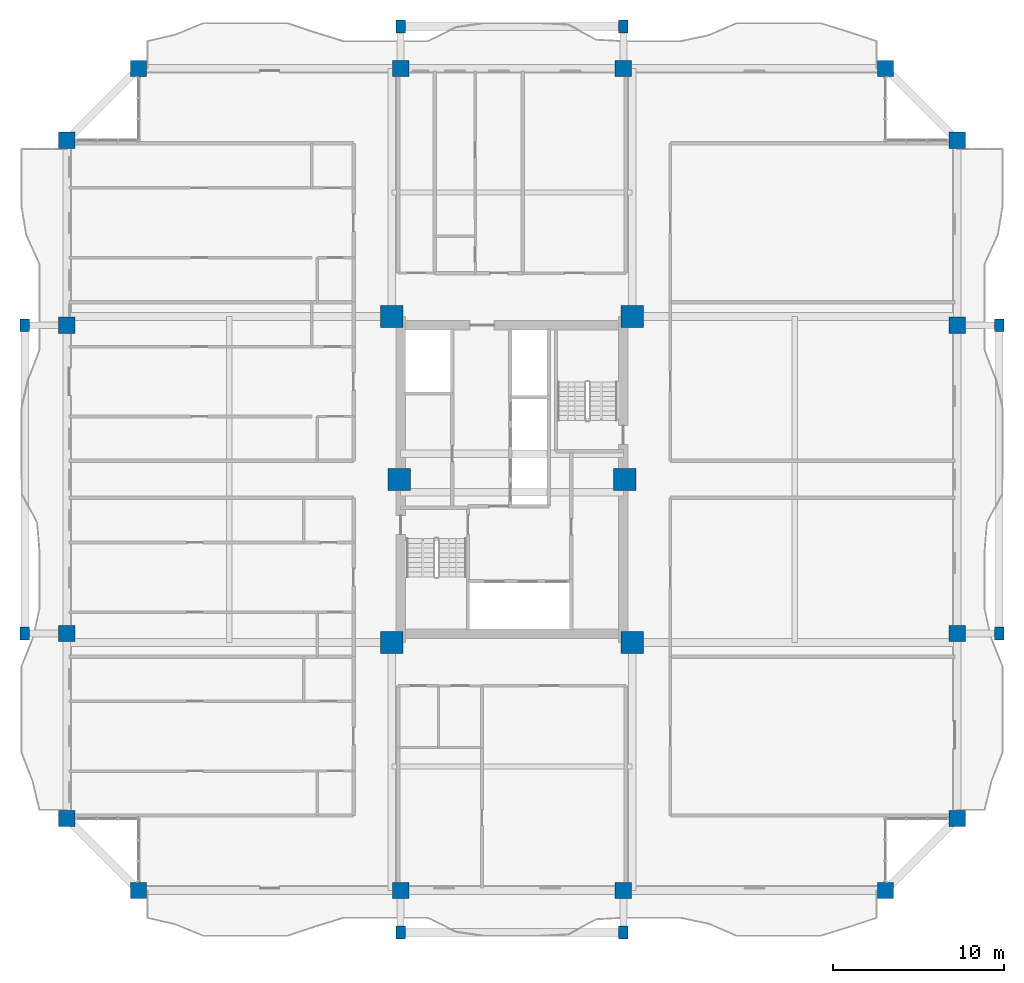
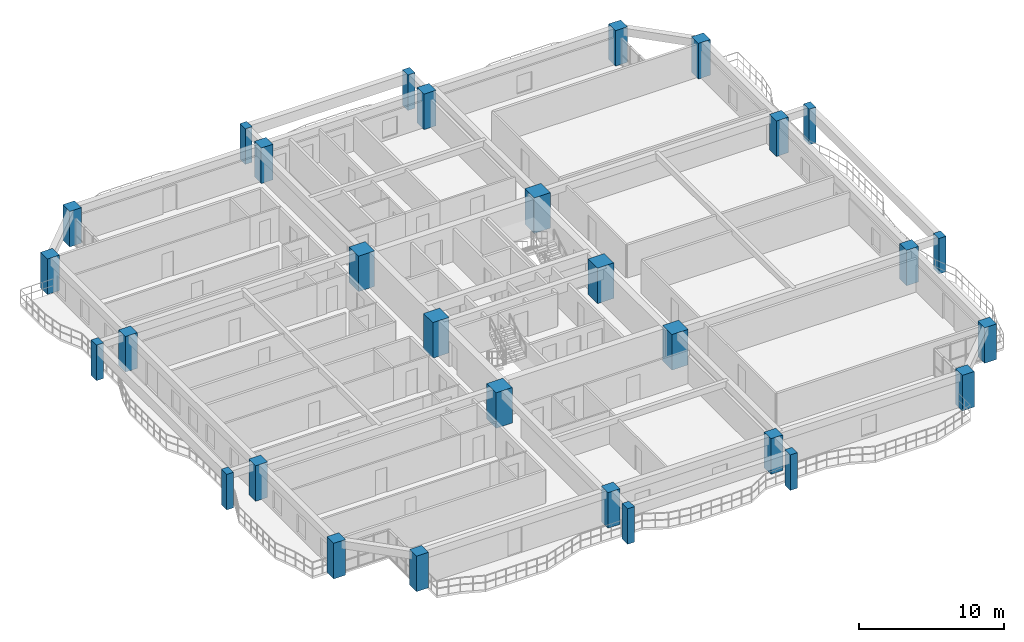
# One storey, part 1 of 22: 30 columns.
"""IFC4 building model written with IfcOpenShell, lengths in metres."""

from ifc_helpers import new_model, si_unit, direction, frame, origin, origin_2d, place, context, subcontext, project, spatial, rectangle, extrude, source, transform, mapped, material, material_profile, profile_set, type_object, element, save


model = new_model("IFC4")

# Units and contexts
model_context = context("Model", 3, precision=1e-05, world=origin(), true_north=direction((0.0, 1.0)))
body_context = subcontext(model_context, "Body", "Model", "MODEL_VIEW")
ifc_project = project(units=[si_unit("LENGTHUNIT", "METRE"), si_unit("AREAUNIT", "SQUARE_METRE"), si_unit("VOLUMEUNIT", "CUBIC_METRE"), si_unit("PLANEANGLEUNIT", "RADIAN"), si_unit("MASSUNIT", "GRAM", prefix="KILO")], contexts=[model_context])

# Site, building, storey
site_placement = place(None, origin())
site = spatial("IfcSite", under=ifc_project, at=site_placement, CompositionType="ELEMENT")
building_placement = place(site_placement, origin())
building = spatial("IfcBuilding", under=site, at=building_placement, Name="Saelheon Loggia Tower", CompositionType="ELEMENT")
storey_placement = place(building_placement, frame((0.0, 0.0, 135.75)))
storey = spatial("IfcBuildingStorey", under=building, at=storey_placement, Name="L43", CompositionType="ELEMENT", Elevation=135.75)

# Columns
ifc_material_1 = material(Name="Precast Concrete C45/55", Category="concrete")
ifc_material_profile_1 = material_profile(ifc_material_1, rectangle(XDim=0.550048828125, YDim=0.75, at=origin_2d()), Name="RC-550x750")
ifc_profile_set_1 = profile_set([ifc_material_profile_1], Name="Precast Concrete C45/55")
column_type_1 = type_object("IfcColumnType", Name="Col_Loggia_Pilaster_750", PredefinedType="PILASTER", material=ifc_profile_set_1)
shared_shape_1 = source(origin(), body_context, "Body", "SweptSolid", [
    extrude(rectangle(XDim=0.550048828125, YDim=0.75, at=origin_2d()), origin(), (0.0, 0.0, 1.0), 3.0),
])
for number, where, z_axis, x_axis, name in (
    (1, (31.5, 0.550048828125, 0.0), (0.0, 0.0, 1.0), (1.0, 0.0, 0.0), "L43 Loggia Frame Pilaster LP-S1"),
    (2, (44.5, 0.550048828125, 0.0), (0.0, 0.0, 1.0), (1.0, 0.0, 0.0), "L43 Loggia Frame Pilaster LP-S2"),
    (3, (31.5, 53.449951171875, 0.0), (0.0, 0.0, 1.0), (1.0, 0.0, 0.0), "L43 Loggia Frame Pilaster LP-N1"),
    (4, (44.5, 53.449951171875, 0.0), (0.0, 0.0, 1.0), (1.0, 0.0, 0.0), "L43 Loggia Frame Pilaster LP-N2"),
    (5, (66.449951171875, 18.0, 0.0), (0.0, 0.0, 1.0), (1.0, 0.0, 0.0), "L43 Loggia Frame Pilaster LP-E1"),
    (6, (66.449951171875, 36.0, 0.0), (0.0, 0.0, 1.0), (1.0, 0.0, 0.0), "L43 Loggia Frame Pilaster LP-E2"),
    (7, (9.550048828125, 18.0, 0.0), (0.0, 0.0, 1.0), (1.0, 0.0, 0.0), "L43 Loggia Frame Pilaster LP-W1"),
    (8, (9.550048828125, 36.0, 0.0), (0.0, 0.0, 1.0), (1.0, 0.0, 0.0), "L43 Loggia Frame Pilaster LP-W2"),
):
    element("IfcColumn", number, at=place(storey_placement, frame(where, z_axis=z_axis, x_axis=x_axis)), inside=storey, type_object=column_type_1, Name=name, PredefinedType="PILASTER", context=body_context, shape_type="MappedRepresentation", body=[
        mapped(shared_shape_1, transform((0.0, 0.0, 0.0), scale=1.0)),
    ])
ifc_material_2 = material(Name="Concrete C60/75", Category="concrete")
ifc_material_profile_2 = material_profile(ifc_material_2, rectangle(XDim=1.300048828125, YDim=1.300048828125, at=origin_2d()), Name="RC-1300x1300")
ifc_profile_set_2 = profile_set([ifc_material_profile_2], Name="Concrete C60/75")
column_type_2 = type_object("IfcColumnType", Name="Col_Core_RC1300", PredefinedType="COLUMN", material=ifc_profile_set_2)
shared_shape_2 = source(origin(), body_context, "Body", "SweptSolid", [
    extrude(rectangle(XDim=1.300048828125, YDim=1.300048828125, at=origin_2d()), origin(), (0.0, 0.0, 1.0), 3.0),
])
for number, where, z_axis, x_axis, name in (
    (9, (30.97998046875, 17.47998046875, 0.0), (0.0, 0.0, 1.0), (1.0, 0.0, 0.0), "L43 Core Column CR-SW"),
    (10, (45.02001953125, 17.47998046875, 0.0), (0.0, 0.0, 1.0), (1.0, 0.0, 0.0), "L43 Core Column CR-SE"),
    (11, (30.97998046875, 36.52001953125, 0.0), (0.0, 0.0, 1.0), (1.0, 0.0, 0.0), "L43 Core Column CR-NW"),
    (12, (45.02001953125, 36.52001953125, 0.0), (0.0, 0.0, 1.0), (1.0, 0.0, 0.0), "L43 Core Column CR-NE"),
    (13, (31.419921875, 27.0, 0.0), (0.0, 0.0, 1.0), (1.0, 0.0, 0.0), "L43 Core Column CR-MW"),
    (14, (44.580078125, 27.0, 0.0), (0.0, 0.0, 1.0), (1.0, 0.0, 0.0), "L43 Core Column CR-ME"),
):
    element("IfcColumn", number, at=place(storey_placement, frame(where, z_axis=z_axis, x_axis=x_axis)), inside=storey, type_object=column_type_2, Name=name, PredefinedType="COLUMN", context=body_context, shape_type="MappedRepresentation", body=[
        mapped(shared_shape_2, transform((0.0, 0.0, 0.0), scale=1.0)),
    ])
ifc_material_3 = material(Name="Concrete C50/60", Category="concrete")
ifc_material_profile_3 = material_profile(ifc_material_3, rectangle(XDim=0.949951171875, YDim=0.949951171875, at=origin_2d()), Name="RC-950x950")
ifc_profile_set_3 = profile_set([ifc_material_profile_3], Name="Concrete C50/60")
column_type_3 = type_object("IfcColumnType", Name="Col_Perim_RC950", PredefinedType="COLUMN", material=ifc_profile_set_3)
shared_shape_3 = source(origin(), body_context, "Body", "SweptSolid", [
    extrude(rectangle(XDim=0.949951171875, YDim=0.949951171875, at=origin_2d()), origin(), (0.0, 0.0, 1.0), 3.0),
])
for number, where, z_axis, x_axis, name in (
    (15, (16.199951171875, 3.0, 0.0), (0.0, 0.0, 1.0), (1.0, 0.0, 0.0), "L43 Perimeter Column TP-S1"),
    (16, (31.5, 3.0, 0.0), (0.0, 0.0, 1.0), (1.0, 0.0, 0.0), "L43 Perimeter Column TP-SA"),
    (17, (44.5, 3.0, 0.0), (0.0, 0.0, 1.0), (1.0, 0.0, 0.0), "L43 Perimeter Column TP-SB"),
    (18, (59.800048828125, 3.0, 0.0), (0.0, 0.0, 1.0), (1.0, 0.0, 0.0), "L43 Perimeter Column TP-S2"),
    (19, (64.0, 7.199951171875, 0.0), (0.0, 0.0, 1.0), (1.0, 0.0, 0.0), "L43 Perimeter Column TP-E1"),
    (20, (64.0, 18.0, 0.0), (0.0, 0.0, 1.0), (1.0, 0.0, 0.0), "L43 Perimeter Column TP-EA"),
    (21, (64.0, 36.0, 0.0), (0.0, 0.0, 1.0), (1.0, 0.0, 0.0), "L43 Perimeter Column TP-EB"),
    (22, (64.0, 46.800048828125, 0.0), (0.0, 0.0, 1.0), (1.0, 0.0, 0.0), "L43 Perimeter Column TP-E2"),
    (23, (59.800048828125, 51.0, 0.0), (0.0, 0.0, 1.0), (1.0, 0.0, 0.0), "L43 Perimeter Column TP-N2"),
    (24, (44.5, 51.0, 0.0), (0.0, 0.0, 1.0), (1.0, 0.0, 0.0), "L43 Perimeter Column TP-NB"),
    (25, (31.5, 51.0, 0.0), (0.0, 0.0, 1.0), (1.0, 0.0, 0.0), "L43 Perimeter Column TP-NA"),
    (26, (16.199951171875, 51.0, 0.0), (0.0, 0.0, 1.0), (1.0, 0.0, 0.0), "L43 Perimeter Column TP-N1"),
    (27, (12.0, 46.800048828125, 0.0), (0.0, 0.0, 1.0), (1.0, 0.0, 0.0), "L43 Perimeter Column TP-W2"),
    (28, (12.0, 36.0, 0.0), (0.0, 0.0, 1.0), (1.0, 0.0, 0.0), "L43 Perimeter Column TP-WB"),
    (29, (12.0, 18.0, 0.0), (0.0, 0.0, 1.0), (1.0, 0.0, 0.0), "L43 Perimeter Column TP-WA"),
    (30, (12.0, 7.199951171875, 0.0), (0.0, 0.0, 1.0), (1.0, 0.0, 0.0), "L43 Perimeter Column TP-W1"),
):
    element("IfcColumn", number, at=place(storey_placement, frame(where, z_axis=z_axis, x_axis=x_axis)), inside=storey, type_object=column_type_3, Name=name, PredefinedType="COLUMN", context=body_context, shape_type="MappedRepresentation", body=[
        mapped(shared_shape_3, transform((0.0, 0.0, 0.0), scale=1.0)),
    ])

save(model, "model.ifc")
